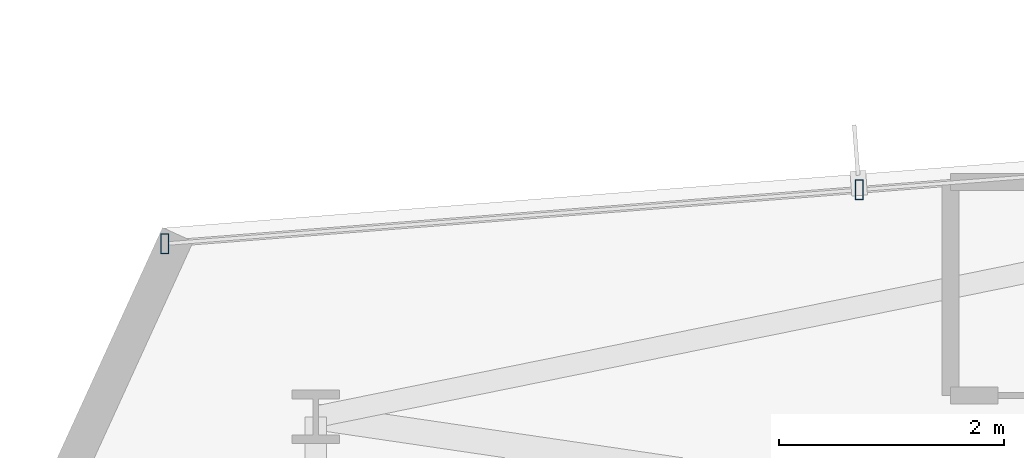
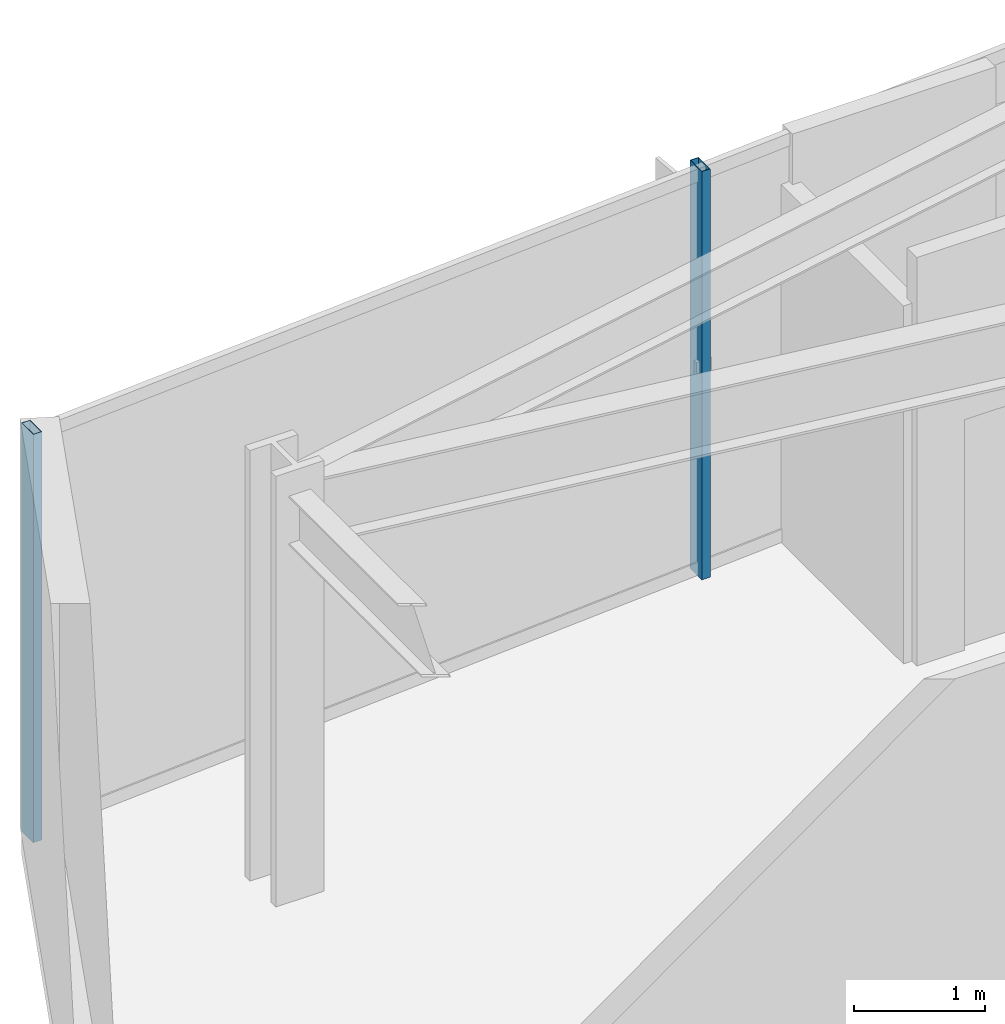
# One storey, part 8 of 30: 2 members, 1 element without a shape of its own.
"""IFC4 building model written with IfcOpenShell, lengths in metres."""

from ifc_helpers import new_model, si_unit, direction, frame, origin, origin_2d, place, context, subcontext, project, spatial, hollow_rectangle, extrude, material, layer, layer_set, material_profile, profile_set, type_object, element, aggregate, save


model = new_model("IFC4")

# Units and contexts
model_context = context("Model", 3, precision=1e-05, world=origin(), true_north=direction((0.0, 1.0)))
body_context = subcontext(model_context, "Body", "Model", "MODEL_VIEW")
ifc_project = project(units=[si_unit("LENGTHUNIT", "METRE"), si_unit("AREAUNIT", "SQUARE_METRE"), si_unit("VOLUMEUNIT", "CUBIC_METRE"), si_unit("PLANEANGLEUNIT", "RADIAN"), si_unit("MASSUNIT", "GRAM", prefix="KILO")], contexts=[model_context])

# Site, building, storey
site_placement = place(None, origin())
site = spatial("IfcSite", under=ifc_project, at=site_placement, CompositionType="ELEMENT")
building_placement = place(site_placement, origin())
building = spatial("IfcBuilding", under=site, at=building_placement, Name="Veymaron Broadcast Tower", CompositionType="ELEMENT")
storey_placement = place(building_placement, frame((0.0, 0.0, 49.949951171875)))
storey = spatial("IfcBuildingStorey", under=building, at=storey_placement, Name="L10", CompositionType="ELEMENT", Elevation=49.949951171875)

# Curtain wall, members
ifc_material_1 = material(Name="Anodised aluminium AA 6063-T6 and laminated low-E dark glass", Category="aluminium")
ifc_layer = layer(ifc_material_1, 0.179931640625)
ifc_layer_set = layer_set([ifc_layer], Name="Anodised aluminium AA 6063-T6 and laminated low-E dark glass")
curtain_wall_type = type_object("IfcCurtainWallType", Name="CW-SYS-02", PredefinedType="NOTDEFINED", material=ifc_layer_set)
curtain_wall_placement = place(storey_placement, origin())
curtain_wall = element("IfcCurtainWall", 1, at=curtain_wall_placement, inside=storey, type_object=curtain_wall_type, Name="L10 dark-glass curtain wall CW-L10-E11-1", PredefinedType="NOTDEFINED")
ifc_material_2 = material(Name="Anodised aluminium AA 6063-T6", Category="aluminium")
ifc_material_profile = material_profile(ifc_material_2, hollow_rectangle(XDim=0.074951171875, YDim=0.179931640625, WallThickness=0.0048828125, at=origin_2d()), Name="AL180X75X5")
ifc_profile_set = profile_set([ifc_material_profile], Name="Anodised aluminium AA 6063-T6")
member_type = type_object("IfcMemberType", Name="CW-MUL-02", PredefinedType="MULLION", material=ifc_profile_set)
member_1_placement = place(storey_placement, frame((13.186767578125, 29.37890625, 0.0), z_axis=(0.0, 0.0, 1.0), x_axis=(1.0, 0.0, 0.0)))
member_1 = element("IfcMember", 2, at=member_1_placement, type_object=member_type, Name="CW-L10-E11-1 mullion 2", PredefinedType="MULLION", context=body_context, shape_type="SweptSolid", body=[
    extrude(hollow_rectangle(XDim=0.074951171875, YDim=0.179931640625, WallThickness=0.0048828125, at=origin_2d()), origin(), (0.0, 0.0, 1.0), 3.81005859375),
])
member_2_placement = place(storey_placement, frame((7.0107421875, 28.900146484375, 0.0), z_axis=(0.0, 0.0, 1.0), x_axis=(1.0, 0.0, 0.0)))
member_2 = element("IfcMember", 3, at=member_2_placement, type_object=member_type, Name="CW-L10-E11-1 mullion 3", PredefinedType="MULLION", context=body_context, shape_type="SweptSolid", body=[
    extrude(hollow_rectangle(XDim=0.074951171875, YDim=0.179931640625, WallThickness=0.0048828125, at=origin_2d()), origin(), (0.0, 0.0, 1.0), 3.81005859375),
])
aggregate(curtain_wall, [member_1, member_2])

save(model, "model.ifc")
